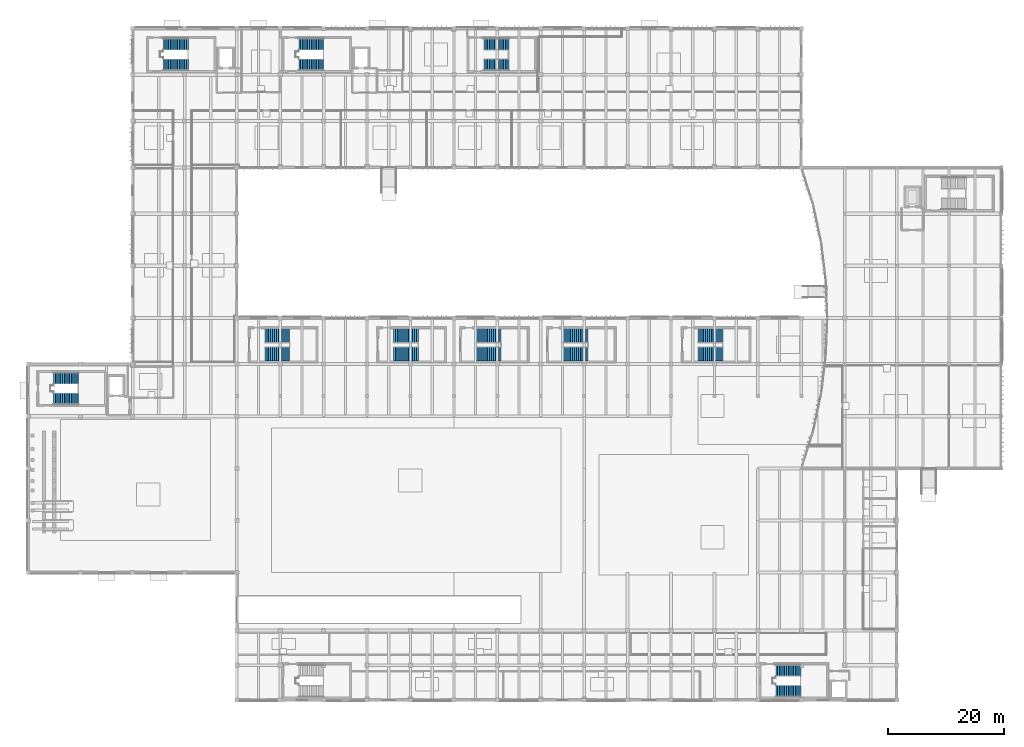
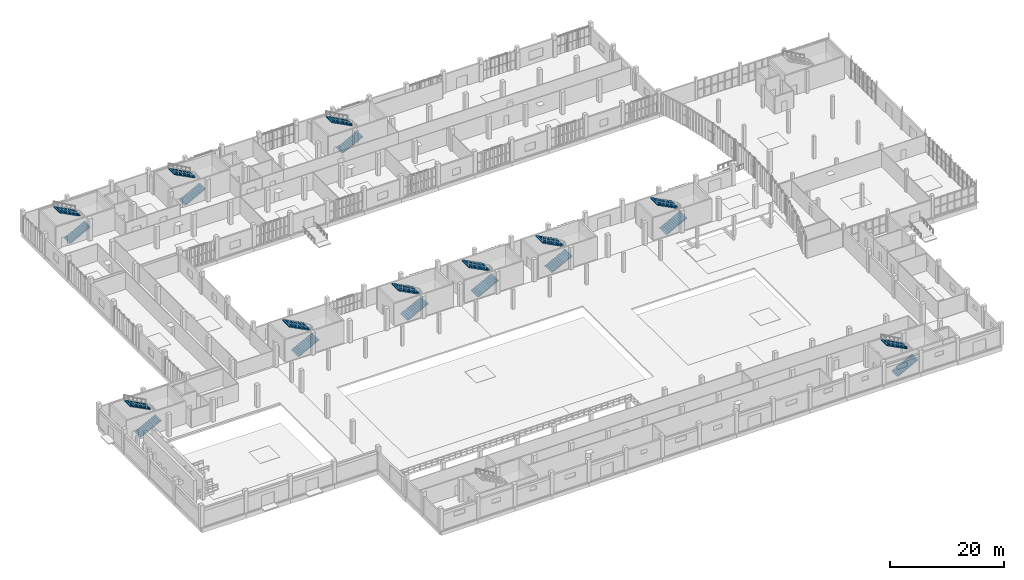
# One storey, part 53 of 72: 20 stair flights, 10 elements without a shape of their own.
"""IFC4 building model written with IfcOpenShell, lengths in metres."""

from ifc_helpers import new_model, si_unit, direction, frame, origin, place, context, subcontext, project, spatial, polyline, outline, extrude, material, type_object, element, aggregate, save


model = new_model("IFC4")

# Units and contexts
model_context = context("Model", 3, precision=1e-05, world=origin(), true_north=direction((0.0, 1.0)))
body_context = subcontext(model_context, "Body", "Model", "MODEL_VIEW")
ifc_project = project(units=[si_unit("LENGTHUNIT", "METRE"), si_unit("AREAUNIT", "SQUARE_METRE"), si_unit("VOLUMEUNIT", "CUBIC_METRE"), si_unit("PLANEANGLEUNIT", "RADIAN"), si_unit("MASSUNIT", "GRAM", prefix="KILO")], contexts=[model_context])

# Site, building, storey
site_placement = place(None, origin())
site = spatial("IfcSite", under=ifc_project, at=site_placement, CompositionType="ELEMENT")
building_placement = place(site_placement, origin())
building = spatial("IfcBuilding", under=site, at=building_placement, Name="Vourika Railside Aquatics Centre", CompositionType="ELEMENT")
storey_placement = place(building_placement, origin())
storey = spatial("IfcBuildingStorey", under=building, at=storey_placement, Name="L00", CompositionType="ELEMENT", Elevation=0.0)

# Stair, stair flights
ifc_material = material(Name="Concrete C35/45", Category="concrete")
stair_type_1 = type_object("IfcStairType", Name="STR-CORE-L00", PredefinedType="TWO_STRAIGHT_RUN_STAIR", material=ifc_material)
stair_1_placement = place(storey_placement, origin())
stair_1 = element("IfcStair", 1, at=stair_1_placement, inside=storey, type_object=stair_type_1, Name="Protected Exit Stair Core ST01 (L00)", PredefinedType="TWO_STRAIGHT_RUN_STAIR")
stair_flight_type_1 = type_object("IfcStairFlightType", Name="STF-CORE-L00", PredefinedType="STRAIGHT", material=ifc_material)
stair_flight_1_placement = place(storey_placement, frame((23.300048828125, 109.719970703125, 0.0), z_axis=(0.0, 0.0, 1.0), x_axis=(1.0, 0.0, 0.0)))
stair_flight_1 = element("IfcStairFlight", 2, at=stair_flight_1_placement, type_object=stair_flight_type_1, Name="STC-L00 flight 1", NumberOfRisers=15, NumberOfTreads=14, PredefinedType="STRAIGHT", RiserHeight=0.16, TreadLength=0.308, context=body_context, shape_type="SweptSolid", body=[
    extrude(outline(polyline([(0.0, 0.0), (0.0, 0.159912109375), (0.30810546875, 0.159912109375), (0.30810546875, 0.320068359375), (0.615966796875, 0.320068359375), (0.615966796875, 0.47998046875), (0.924072265625, 0.47998046875), (0.924072265625, 0.639892578125), (1.23193359375, 0.639892578125), (1.23193359375, 0.800048828125), (1.5400390625, 0.800048828125), (1.5400390625, 0.9599609375), (1.847900390625, 0.9599609375), (1.847900390625, 1.1201171875), (2.156005859375, 1.1201171875), (2.156005859375, 1.280029296875), (2.464111328125, 1.280029296875), (2.464111328125, 1.43994140625), (2.77197265625, 1.43994140625), (2.77197265625, 1.60009765625), (3.080078125, 1.60009765625), (3.080078125, 1.760009765625), (3.387939453125, 1.760009765625), (3.387939453125, 1.919921875), (3.696044921875, 1.919921875), (3.696044921875, 2.080078125), (4.00390625, 2.080078125), (4.00390625, 2.239990234375), (4.31201171875, 2.239990234375), (4.31201171875, 2.39990234375), (4.31201171875, 2.059814453125), (0.346923828125, 0.0), (0.0, 0.0)])), frame((0.0, 1.0, 0.0), z_axis=(0.0, -1.0, 0.0), x_axis=(1.0, 0.0, 0.0)), (0.0, 0.0, 1.0), 2.0),
])
stair_flight_2_placement = place(storey_placement, frame((27.612060546875, 113.280029296875, 2.39990234375), z_axis=(0.0, 0.0, 1.0), x_axis=(-1.0, 0.0, 0.0)))
stair_flight_2 = element("IfcStairFlight", 3, at=stair_flight_2_placement, type_object=stair_flight_type_1, Name="STC-L00 flight 2", NumberOfRisers=15, NumberOfTreads=14, PredefinedType="STRAIGHT", RiserHeight=0.16, TreadLength=0.308, context=body_context, shape_type="SweptSolid", body=[
    extrude(outline(polyline([(0.0, 0.0), (0.0, 0.159912109375), (0.30810546875, 0.159912109375), (0.30810546875, 0.320068359375), (0.615966796875, 0.320068359375), (0.615966796875, 0.47998046875), (0.924072265625, 0.47998046875), (0.924072265625, 0.639892578125), (1.23193359375, 0.639892578125), (1.23193359375, 0.800048828125), (1.5400390625, 0.800048828125), (1.5400390625, 0.9599609375), (1.847900390625, 0.9599609375), (1.847900390625, 1.1201171875), (2.156005859375, 1.1201171875), (2.156005859375, 1.280029296875), (2.464111328125, 1.280029296875), (2.464111328125, 1.43994140625), (2.77197265625, 1.43994140625), (2.77197265625, 1.60009765625), (3.080078125, 1.60009765625), (3.080078125, 1.760009765625), (3.387939453125, 1.760009765625), (3.387939453125, 1.919921875), (3.696044921875, 1.919921875), (3.696044921875, 2.080078125), (4.00390625, 2.080078125), (4.00390625, 2.239990234375), (4.31201171875, 2.239990234375), (4.31201171875, 2.39990234375), (4.31201171875, 2.059814453125), (0.346923828125, 0.0), (0.0, 0.0)])), frame((0.0, 1.0, 0.0), z_axis=(0.0, -1.0, 0.0), x_axis=(1.0, 0.0, 0.0)), (0.0, 0.0, 1.0), 2.0),
])
aggregate(stair_1, [stair_flight_1, stair_flight_2])

stair_2_placement = place(storey_placement, origin())
stair_2 = element("IfcStair", 4, at=stair_2_placement, inside=storey, type_object=stair_type_1, Name="Protected Exit Stair Core ST02 (L00)", PredefinedType="TWO_STRAIGHT_RUN_STAIR")
stair_flight_3_placement = place(storey_placement, frame((46.699951171875, 109.719970703125, 0.0), z_axis=(0.0, 0.0, 1.0), x_axis=(1.0, 0.0, 0.0)))
stair_flight_3 = element("IfcStairFlight", 5, at=stair_flight_3_placement, type_object=stair_flight_type_1, Name="STC-L00 flight 1", NumberOfRisers=15, NumberOfTreads=14, PredefinedType="STRAIGHT", RiserHeight=0.16, TreadLength=0.308, context=body_context, shape_type="SweptSolid", body=[
    extrude(outline(polyline([(0.0, 0.0), (0.0, 0.159912109375), (0.30810546875, 0.159912109375), (0.30810546875, 0.320068359375), (0.615966796875, 0.320068359375), (0.615966796875, 0.47998046875), (0.924072265625, 0.47998046875), (0.924072265625, 0.639892578125), (1.23193359375, 0.639892578125), (1.23193359375, 0.800048828125), (1.5400390625, 0.800048828125), (1.5400390625, 0.9599609375), (1.847900390625, 0.9599609375), (1.847900390625, 1.1201171875), (2.156005859375, 1.1201171875), (2.156005859375, 1.280029296875), (2.464111328125, 1.280029296875), (2.464111328125, 1.43994140625), (2.77197265625, 1.43994140625), (2.77197265625, 1.60009765625), (3.080078125, 1.60009765625), (3.080078125, 1.760009765625), (3.387939453125, 1.760009765625), (3.387939453125, 1.919921875), (3.696044921875, 1.919921875), (3.696044921875, 2.080078125), (4.00390625, 2.080078125), (4.00390625, 2.239990234375), (4.31201171875, 2.239990234375), (4.31201171875, 2.39990234375), (4.31201171875, 2.059814453125), (0.346923828125, 0.0), (0.0, 0.0)])), frame((0.0, 1.0, 0.0), z_axis=(0.0, -1.0, 0.0), x_axis=(1.0, 0.0, 0.0)), (0.0, 0.0, 1.0), 2.0),
])
stair_flight_4_placement = place(storey_placement, frame((51.011962890625, 113.280029296875, 2.39990234375), z_axis=(0.0, 0.0, 1.0), x_axis=(-1.0, 0.0, 0.0)))
stair_flight_4 = element("IfcStairFlight", 6, at=stair_flight_4_placement, type_object=stair_flight_type_1, Name="STC-L00 flight 2", NumberOfRisers=15, NumberOfTreads=14, PredefinedType="STRAIGHT", RiserHeight=0.16, TreadLength=0.308, context=body_context, shape_type="SweptSolid", body=[
    extrude(outline(polyline([(0.0, 0.0), (0.0, 0.159912109375), (0.30810546875, 0.159912109375), (0.30810546875, 0.320068359375), (0.615966796875, 0.320068359375), (0.615966796875, 0.47998046875), (0.924072265625, 0.47998046875), (0.924072265625, 0.639892578125), (1.23193359375, 0.639892578125), (1.23193359375, 0.800048828125), (1.5400390625, 0.800048828125), (1.5400390625, 0.9599609375), (1.847900390625, 0.9599609375), (1.847900390625, 1.1201171875), (2.156005859375, 1.1201171875), (2.156005859375, 1.280029296875), (2.464111328125, 1.280029296875), (2.464111328125, 1.43994140625), (2.77197265625, 1.43994140625), (2.77197265625, 1.60009765625), (3.080078125, 1.60009765625), (3.080078125, 1.760009765625), (3.387939453125, 1.760009765625), (3.387939453125, 1.919921875), (3.696044921875, 1.919921875), (3.696044921875, 2.080078125), (4.00390625, 2.080078125), (4.00390625, 2.239990234375), (4.31201171875, 2.239990234375), (4.31201171875, 2.39990234375), (4.31201171875, 2.059814453125), (0.346923828125, 0.0), (0.0, 0.0)])), frame((0.0, 1.0, 0.0), z_axis=(0.0, -1.0, 0.0), x_axis=(1.0, 0.0, 0.0)), (0.0, 0.0, 1.0), 2.0),
])
aggregate(stair_2, [stair_flight_3, stair_flight_4])

stair_3_placement = place(storey_placement, origin())
stair_3 = element("IfcStair", 7, at=stair_3_placement, inside=storey, type_object=stair_type_1, Name="Protected Exit Stair Core ST03 (L00)", PredefinedType="TWO_STRAIGHT_RUN_STAIR")
stair_flight_5_placement = place(storey_placement, frame((78.699951171875, 109.719970703125, 0.0), z_axis=(0.0, 0.0, 1.0), x_axis=(1.0, 0.0, 0.0)))
stair_flight_5 = element("IfcStairFlight", 8, at=stair_flight_5_placement, type_object=stair_flight_type_1, Name="STC-L00 flight 1", NumberOfRisers=15, NumberOfTreads=14, PredefinedType="STRAIGHT", RiserHeight=0.16, TreadLength=0.308, context=body_context, shape_type="SweptSolid", body=[
    extrude(outline(polyline([(0.0, 0.0), (0.0, 0.159912109375), (0.30810546875, 0.159912109375), (0.30810546875, 0.320068359375), (0.615966796875, 0.320068359375), (0.615966796875, 0.47998046875), (0.924072265625, 0.47998046875), (0.924072265625, 0.639892578125), (1.23193359375, 0.639892578125), (1.23193359375, 0.800048828125), (1.5400390625, 0.800048828125), (1.5400390625, 0.9599609375), (1.847900390625, 0.9599609375), (1.847900390625, 1.1201171875), (2.156005859375, 1.1201171875), (2.156005859375, 1.280029296875), (2.464111328125, 1.280029296875), (2.464111328125, 1.43994140625), (2.77197265625, 1.43994140625), (2.77197265625, 1.60009765625), (3.080078125, 1.60009765625), (3.080078125, 1.760009765625), (3.387939453125, 1.760009765625), (3.387939453125, 1.919921875), (3.696044921875, 1.919921875), (3.696044921875, 2.080078125), (4.00390625, 2.080078125), (4.00390625, 2.239990234375), (4.31201171875, 2.239990234375), (4.31201171875, 2.39990234375), (4.31201171875, 2.059814453125), (0.346923828125, 0.0), (0.0, 0.0)])), frame((0.0, 1.0, 0.0), z_axis=(0.0, -1.0, 0.0), x_axis=(1.0, 0.0, 0.0)), (0.0, 0.0, 1.0), 2.0),
])
stair_flight_6_placement = place(storey_placement, frame((83.011962890625, 113.280029296875, 2.39990234375), z_axis=(0.0, 0.0, 1.0), x_axis=(-1.0, 0.0, 0.0)))
stair_flight_6 = element("IfcStairFlight", 9, at=stair_flight_6_placement, type_object=stair_flight_type_1, Name="STC-L00 flight 2", NumberOfRisers=15, NumberOfTreads=14, PredefinedType="STRAIGHT", RiserHeight=0.16, TreadLength=0.308, context=body_context, shape_type="SweptSolid", body=[
    extrude(outline(polyline([(0.0, 0.0), (0.0, 0.159912109375), (0.30810546875, 0.159912109375), (0.30810546875, 0.320068359375), (0.615966796875, 0.320068359375), (0.615966796875, 0.47998046875), (0.924072265625, 0.47998046875), (0.924072265625, 0.639892578125), (1.23193359375, 0.639892578125), (1.23193359375, 0.800048828125), (1.5400390625, 0.800048828125), (1.5400390625, 0.9599609375), (1.847900390625, 0.9599609375), (1.847900390625, 1.1201171875), (2.156005859375, 1.1201171875), (2.156005859375, 1.280029296875), (2.464111328125, 1.280029296875), (2.464111328125, 1.43994140625), (2.77197265625, 1.43994140625), (2.77197265625, 1.60009765625), (3.080078125, 1.60009765625), (3.080078125, 1.760009765625), (3.387939453125, 1.760009765625), (3.387939453125, 1.919921875), (3.696044921875, 1.919921875), (3.696044921875, 2.080078125), (4.00390625, 2.080078125), (4.00390625, 2.239990234375), (4.31201171875, 2.239990234375), (4.31201171875, 2.39990234375), (4.31201171875, 2.059814453125), (0.346923828125, 0.0), (0.0, 0.0)])), frame((0.0, 1.0, 0.0), z_axis=(0.0, -1.0, 0.0), x_axis=(1.0, 0.0, 0.0)), (0.0, 0.0, 1.0), 2.0),
])
aggregate(stair_3, [stair_flight_5, stair_flight_6])

stair_4_placement = place(storey_placement, origin())
stair_4 = element("IfcStair", 10, at=stair_4_placement, inside=storey, type_object=stair_type_1, Name="Protected Exit Stair Core ST04 (L00)", PredefinedType="TWO_STRAIGHT_RUN_STAIR")
stair_flight_7_placement = place(storey_placement, frame((4.35009765625, 52.02001953125, 0.0), z_axis=(0.0, 0.0, 1.0), x_axis=(1.0, 0.0, 0.0)))
stair_flight_7 = element("IfcStairFlight", 11, at=stair_flight_7_placement, type_object=stair_flight_type_1, Name="STC-L00 flight 1", NumberOfRisers=15, NumberOfTreads=14, PredefinedType="STRAIGHT", RiserHeight=0.16, TreadLength=0.308, context=body_context, shape_type="SweptSolid", body=[
    extrude(outline(polyline([(0.0, 0.0), (0.0, 0.159912109375), (0.30810546875, 0.159912109375), (0.30810546875, 0.320068359375), (0.615966796875, 0.320068359375), (0.615966796875, 0.47998046875), (0.924072265625, 0.47998046875), (0.924072265625, 0.639892578125), (1.23193359375, 0.639892578125), (1.23193359375, 0.800048828125), (1.5400390625, 0.800048828125), (1.5400390625, 0.9599609375), (1.847900390625, 0.9599609375), (1.847900390625, 1.1201171875), (2.156005859375, 1.1201171875), (2.156005859375, 1.280029296875), (2.464111328125, 1.280029296875), (2.464111328125, 1.43994140625), (2.77197265625, 1.43994140625), (2.77197265625, 1.60009765625), (3.080078125, 1.60009765625), (3.080078125, 1.760009765625), (3.387939453125, 1.760009765625), (3.387939453125, 1.919921875), (3.696044921875, 1.919921875), (3.696044921875, 2.080078125), (4.00390625, 2.080078125), (4.00390625, 2.239990234375), (4.31201171875, 2.239990234375), (4.31201171875, 2.39990234375), (4.31201171875, 2.059814453125), (0.346923828125, 0.0), (0.0, 0.0)])), frame((0.0, 1.0, 0.0), z_axis=(0.0, -1.0, 0.0), x_axis=(1.0, 0.0, 0.0)), (0.0, 0.0, 1.0), 2.0),
])
stair_flight_8_placement = place(storey_placement, frame((8.662109375, 55.580078125, 2.39990234375), z_axis=(0.0, 0.0, 1.0), x_axis=(-1.0, 0.0, 0.0)))
stair_flight_8 = element("IfcStairFlight", 12, at=stair_flight_8_placement, type_object=stair_flight_type_1, Name="STC-L00 flight 2", NumberOfRisers=15, NumberOfTreads=14, PredefinedType="STRAIGHT", RiserHeight=0.16, TreadLength=0.308, context=body_context, shape_type="SweptSolid", body=[
    extrude(outline(polyline([(0.0, 0.0), (0.0, 0.159912109375), (0.30810546875, 0.159912109375), (0.30810546875, 0.320068359375), (0.615966796875, 0.320068359375), (0.615966796875, 0.47998046875), (0.924072265625, 0.47998046875), (0.924072265625, 0.639892578125), (1.23193359375, 0.639892578125), (1.23193359375, 0.800048828125), (1.5400390625, 0.800048828125), (1.5400390625, 0.9599609375), (1.847900390625, 0.9599609375), (1.847900390625, 1.1201171875), (2.156005859375, 1.1201171875), (2.156005859375, 1.280029296875), (2.464111328125, 1.280029296875), (2.464111328125, 1.43994140625), (2.77197265625, 1.43994140625), (2.77197265625, 1.60009765625), (3.080078125, 1.60009765625), (3.080078125, 1.760009765625), (3.387939453125, 1.760009765625), (3.387939453125, 1.919921875), (3.696044921875, 1.919921875), (3.696044921875, 2.080078125), (4.00390625, 2.080078125), (4.00390625, 2.239990234375), (4.31201171875, 2.239990234375), (4.31201171875, 2.39990234375), (4.31201171875, 2.059814453125), (0.346923828125, 0.0), (0.0, 0.0)])), frame((0.0, 1.0, 0.0), z_axis=(0.0, -1.0, 0.0), x_axis=(1.0, 0.0, 0.0)), (0.0, 0.0, 1.0), 2.0),
])
aggregate(stair_4, [stair_flight_7, stair_flight_8])

stair_5_placement = place(storey_placement, origin())
stair_5 = element("IfcStair", 13, at=stair_5_placement, inside=storey, type_object=stair_type_1, Name="Protected Exit Stair Core ST06 (L00)", PredefinedType="TWO_STRAIGHT_RUN_STAIR")
stair_flight_9_placement = place(storey_placement, frame((129.10009765625, 1.52001953125, 0.0), z_axis=(0.0, 0.0, 1.0), x_axis=(1.0, 0.0, 0.0)))
stair_flight_9 = element("IfcStairFlight", 14, at=stair_flight_9_placement, type_object=stair_flight_type_1, Name="STC-L00 flight 1", NumberOfRisers=15, NumberOfTreads=14, PredefinedType="STRAIGHT", RiserHeight=0.16, TreadLength=0.308, context=body_context, shape_type="SweptSolid", body=[
    extrude(outline(polyline([(0.0, 0.0), (0.0, 0.159912109375), (0.30810546875, 0.159912109375), (0.30810546875, 0.320068359375), (0.615966796875, 0.320068359375), (0.615966796875, 0.47998046875), (0.924072265625, 0.47998046875), (0.924072265625, 0.639892578125), (1.23193359375, 0.639892578125), (1.23193359375, 0.800048828125), (1.5400390625, 0.800048828125), (1.5400390625, 0.9599609375), (1.847900390625, 0.9599609375), (1.847900390625, 1.1201171875), (2.156005859375, 1.1201171875), (2.156005859375, 1.280029296875), (2.464111328125, 1.280029296875), (2.464111328125, 1.43994140625), (2.77197265625, 1.43994140625), (2.77197265625, 1.60009765625), (3.080078125, 1.60009765625), (3.080078125, 1.760009765625), (3.387939453125, 1.760009765625), (3.387939453125, 1.919921875), (3.696044921875, 1.919921875), (3.696044921875, 2.080078125), (4.00390625, 2.080078125), (4.00390625, 2.239990234375), (4.31201171875, 2.239990234375), (4.31201171875, 2.39990234375), (4.31201171875, 2.059814453125), (0.346923828125, 0.0), (0.0, 0.0)])), frame((0.0, 1.0, 0.0), z_axis=(0.0, -1.0, 0.0), x_axis=(1.0, 0.0, 0.0)), (0.0, 0.0, 1.0), 2.0),
])
stair_flight_10_placement = place(storey_placement, frame((133.412109375, 5.080078125, 2.39990234375), z_axis=(0.0, 0.0, 1.0), x_axis=(-1.0, 0.0, 0.0)))
stair_flight_10 = element("IfcStairFlight", 15, at=stair_flight_10_placement, type_object=stair_flight_type_1, Name="STC-L00 flight 2", NumberOfRisers=15, NumberOfTreads=14, PredefinedType="STRAIGHT", RiserHeight=0.16, TreadLength=0.308, context=body_context, shape_type="SweptSolid", body=[
    extrude(outline(polyline([(0.0, 0.0), (0.0, 0.159912109375), (0.30810546875, 0.159912109375), (0.30810546875, 0.320068359375), (0.615966796875, 0.320068359375), (0.615966796875, 0.47998046875), (0.924072265625, 0.47998046875), (0.924072265625, 0.639892578125), (1.23193359375, 0.639892578125), (1.23193359375, 0.800048828125), (1.5400390625, 0.800048828125), (1.5400390625, 0.9599609375), (1.847900390625, 0.9599609375), (1.847900390625, 1.1201171875), (2.156005859375, 1.1201171875), (2.156005859375, 1.280029296875), (2.464111328125, 1.280029296875), (2.464111328125, 1.43994140625), (2.77197265625, 1.43994140625), (2.77197265625, 1.60009765625), (3.080078125, 1.60009765625), (3.080078125, 1.760009765625), (3.387939453125, 1.760009765625), (3.387939453125, 1.919921875), (3.696044921875, 1.919921875), (3.696044921875, 2.080078125), (4.00390625, 2.080078125), (4.00390625, 2.239990234375), (4.31201171875, 2.239990234375), (4.31201171875, 2.39990234375), (4.31201171875, 2.059814453125), (0.346923828125, 0.0), (0.0, 0.0)])), frame((0.0, 1.0, 0.0), z_axis=(0.0, -1.0, 0.0), x_axis=(1.0, 0.0, 0.0)), (0.0, 0.0, 1.0), 2.0),
])
aggregate(stair_5, [stair_flight_9, stair_flight_10])

stair_type_2 = type_object("IfcStairType", Name="STR-VOM-L00", PredefinedType="TWO_STRAIGHT_RUN_STAIR", material=ifc_material)
stair_6_placement = place(storey_placement, origin())
stair_6 = element("IfcStair", 16, at=stair_6_placement, inside=storey, type_object=stair_type_2, Name="Grandstand Vomitory Exit Stair ST07", PredefinedType="TWO_STRAIGHT_RUN_STAIR")
stair_flight_type_2 = type_object("IfcStairFlightType", Name="STF-VOM-L00", PredefinedType="STRAIGHT", material=ifc_material)
stair_flight_11_placement = place(storey_placement, frame((40.85009765625, 59.780029296875, 0.0), z_axis=(0.0, 0.0, 1.0), x_axis=(1.0, 0.0, 0.0)))
stair_flight_11 = element("IfcStairFlight", 17, at=stair_flight_11_placement, type_object=stair_flight_type_2, Name="STV-1 flight 1", NumberOfRisers=14, NumberOfTreads=13, PredefinedType="STRAIGHT", RiserHeight=0.171429, TreadLength=0.33, context=body_context, shape_type="SweptSolid", body=[
    extrude(outline(polyline([(0.0, 0.0), (0.0, 0.17138671875), (0.330078125, 0.17138671875), (0.330078125, 0.3427734375), (0.659912109375, 0.3427734375), (0.659912109375, 0.514404296875), (0.989990234375, 0.514404296875), (0.989990234375, 0.685791015625), (1.320068359375, 0.685791015625), (1.320068359375, 0.857177734375), (1.64990234375, 0.857177734375), (1.64990234375, 1.028564453125), (1.97998046875, 1.028564453125), (1.97998046875, 1.199951171875), (2.31005859375, 1.199951171875), (2.31005859375, 1.371337890625), (2.639892578125, 1.371337890625), (2.639892578125, 1.54296875), (2.969970703125, 1.54296875), (2.969970703125, 1.71435546875), (3.300048828125, 1.71435546875), (3.300048828125, 1.8857421875), (3.6298828125, 1.8857421875), (3.6298828125, 2.05712890625), (3.9599609375, 2.05712890625), (3.9599609375, 2.228515625), (4.2900390625, 2.228515625), (4.2900390625, 2.39990234375), (4.2900390625, 2.02587890625), (0.390380859375, 0.0), (0.0, 0.0)])), frame((0.0, 1.2099609375, 0.0), z_axis=(0.0, -1.0, 0.0), x_axis=(1.0, 0.0, 0.0)), (0.0, 0.0, 1.0), 2.419921875),
])
stair_flight_12_placement = place(storey_placement, frame((45.139892578125, 62.919921875, 2.39990234375), z_axis=(0.0, 0.0, 1.0), x_axis=(-1.0, 0.0, 0.0)))
stair_flight_12 = element("IfcStairFlight", 18, at=stair_flight_12_placement, type_object=stair_flight_type_2, Name="STV-1 flight 2", NumberOfRisers=14, NumberOfTreads=13, PredefinedType="STRAIGHT", RiserHeight=0.171429, TreadLength=0.33, context=body_context, shape_type="SweptSolid", body=[
    extrude(outline(polyline([(0.0, 0.0), (0.0, 0.17138671875), (0.330078125, 0.17138671875), (0.330078125, 0.3427734375), (0.659912109375, 0.3427734375), (0.659912109375, 0.514404296875), (0.989990234375, 0.514404296875), (0.989990234375, 0.685791015625), (1.320068359375, 0.685791015625), (1.320068359375, 0.857177734375), (1.64990234375, 0.857177734375), (1.64990234375, 1.028564453125), (1.97998046875, 1.028564453125), (1.97998046875, 1.199951171875), (2.31005859375, 1.199951171875), (2.31005859375, 1.371337890625), (2.639892578125, 1.371337890625), (2.639892578125, 1.54296875), (2.969970703125, 1.54296875), (2.969970703125, 1.71435546875), (3.300048828125, 1.71435546875), (3.300048828125, 1.8857421875), (3.6298828125, 1.8857421875), (3.6298828125, 2.05712890625), (3.9599609375, 2.05712890625), (3.9599609375, 2.228515625), (4.2900390625, 2.228515625), (4.2900390625, 2.39990234375), (4.2900390625, 2.02587890625), (0.390380859375, 0.0), (0.0, 0.0)])), frame((0.0, 1.2099609375, 0.0), z_axis=(0.0, -1.0, 0.0), x_axis=(1.0, 0.0, 0.0)), (0.0, 0.0, 1.0), 2.419921875),
])
aggregate(stair_6, [stair_flight_11, stair_flight_12])

stair_7_placement = place(storey_placement, origin())
stair_7 = element("IfcStair", 19, at=stair_7_placement, inside=storey, type_object=stair_type_2, Name="Grandstand Vomitory Exit Stair ST08", PredefinedType="TWO_STRAIGHT_RUN_STAIR")
stair_flight_13_placement = place(storey_placement, frame((63.050048828125, 59.780029296875, 0.0), z_axis=(0.0, 0.0, 1.0), x_axis=(1.0, 0.0, 0.0)))
stair_flight_13 = element("IfcStairFlight", 20, at=stair_flight_13_placement, type_object=stair_flight_type_2, Name="STV-1 flight 1", NumberOfRisers=14, NumberOfTreads=13, PredefinedType="STRAIGHT", RiserHeight=0.171429, TreadLength=0.33, context=body_context, shape_type="SweptSolid", body=[
    extrude(outline(polyline([(0.0, 0.0), (0.0, 0.17138671875), (0.330078125, 0.17138671875), (0.330078125, 0.3427734375), (0.659912109375, 0.3427734375), (0.659912109375, 0.514404296875), (0.989990234375, 0.514404296875), (0.989990234375, 0.685791015625), (1.320068359375, 0.685791015625), (1.320068359375, 0.857177734375), (1.64990234375, 0.857177734375), (1.64990234375, 1.028564453125), (1.97998046875, 1.028564453125), (1.97998046875, 1.199951171875), (2.31005859375, 1.199951171875), (2.31005859375, 1.371337890625), (2.639892578125, 1.371337890625), (2.639892578125, 1.54296875), (2.969970703125, 1.54296875), (2.969970703125, 1.71435546875), (3.300048828125, 1.71435546875), (3.300048828125, 1.8857421875), (3.6298828125, 1.8857421875), (3.6298828125, 2.05712890625), (3.9599609375, 2.05712890625), (3.9599609375, 2.228515625), (4.2900390625, 2.228515625), (4.2900390625, 2.39990234375), (4.2900390625, 2.02587890625), (0.390380859375, 0.0), (0.0, 0.0)])), frame((0.0, 1.2099609375, 0.0), z_axis=(0.0, -1.0, 0.0), x_axis=(1.0, 0.0, 0.0)), (0.0, 0.0, 1.0), 2.419921875),
])
stair_flight_14_placement = place(storey_placement, frame((67.340087890625, 62.919921875, 2.39990234375), z_axis=(0.0, 0.0, 1.0), x_axis=(-1.0, 0.0, 0.0)))
stair_flight_14 = element("IfcStairFlight", 21, at=stair_flight_14_placement, type_object=stair_flight_type_2, Name="STV-1 flight 2", NumberOfRisers=14, NumberOfTreads=13, PredefinedType="STRAIGHT", RiserHeight=0.171429, TreadLength=0.33, context=body_context, shape_type="SweptSolid", body=[
    extrude(outline(polyline([(0.0, 0.0), (0.0, 0.17138671875), (0.330078125, 0.17138671875), (0.330078125, 0.3427734375), (0.659912109375, 0.3427734375), (0.659912109375, 0.514404296875), (0.989990234375, 0.514404296875), (0.989990234375, 0.685791015625), (1.320068359375, 0.685791015625), (1.320068359375, 0.857177734375), (1.64990234375, 0.857177734375), (1.64990234375, 1.028564453125), (1.97998046875, 1.028564453125), (1.97998046875, 1.199951171875), (2.31005859375, 1.199951171875), (2.31005859375, 1.371337890625), (2.639892578125, 1.371337890625), (2.639892578125, 1.54296875), (2.969970703125, 1.54296875), (2.969970703125, 1.71435546875), (3.300048828125, 1.71435546875), (3.300048828125, 1.8857421875), (3.6298828125, 1.8857421875), (3.6298828125, 2.05712890625), (3.9599609375, 2.05712890625), (3.9599609375, 2.228515625), (4.2900390625, 2.228515625), (4.2900390625, 2.39990234375), (4.2900390625, 2.02587890625), (0.390380859375, 0.0), (0.0, 0.0)])), frame((0.0, 1.2099609375, 0.0), z_axis=(0.0, -1.0, 0.0), x_axis=(1.0, 0.0, 0.0)), (0.0, 0.0, 1.0), 2.419921875),
])
aggregate(stair_7, [stair_flight_13, stair_flight_14])

stair_8_placement = place(storey_placement, origin())
stair_8 = element("IfcStair", 22, at=stair_8_placement, inside=storey, type_object=stair_type_2, Name="Grandstand Vomitory Exit Stair ST09", PredefinedType="TWO_STRAIGHT_RUN_STAIR")
stair_flight_15_placement = place(storey_placement, frame((92.35009765625, 59.780029296875, 0.0), z_axis=(0.0, 0.0, 1.0), x_axis=(1.0, 0.0, 0.0)))
stair_flight_15 = element("IfcStairFlight", 23, at=stair_flight_15_placement, type_object=stair_flight_type_2, Name="STV-1 flight 1", NumberOfRisers=14, NumberOfTreads=13, PredefinedType="STRAIGHT", RiserHeight=0.171429, TreadLength=0.33, context=body_context, shape_type="SweptSolid", body=[
    extrude(outline(polyline([(0.0, 0.0), (0.0, 0.17138671875), (0.330078125, 0.17138671875), (0.330078125, 0.3427734375), (0.659912109375, 0.3427734375), (0.659912109375, 0.514404296875), (0.989990234375, 0.514404296875), (0.989990234375, 0.685791015625), (1.320068359375, 0.685791015625), (1.320068359375, 0.857177734375), (1.64990234375, 0.857177734375), (1.64990234375, 1.028564453125), (1.97998046875, 1.028564453125), (1.97998046875, 1.199951171875), (2.31005859375, 1.199951171875), (2.31005859375, 1.371337890625), (2.639892578125, 1.371337890625), (2.639892578125, 1.54296875), (2.969970703125, 1.54296875), (2.969970703125, 1.71435546875), (3.300048828125, 1.71435546875), (3.300048828125, 1.8857421875), (3.6298828125, 1.8857421875), (3.6298828125, 2.05712890625), (3.9599609375, 2.05712890625), (3.9599609375, 2.228515625), (4.2900390625, 2.228515625), (4.2900390625, 2.39990234375), (4.2900390625, 2.02587890625), (0.390380859375, 0.0), (0.0, 0.0)])), frame((0.0, 1.2099609375, 0.0), z_axis=(0.0, -1.0, 0.0), x_axis=(1.0, 0.0, 0.0)), (0.0, 0.0, 1.0), 2.419921875),
])
stair_flight_16_placement = place(storey_placement, frame((96.639892578125, 62.919921875, 2.39990234375), z_axis=(0.0, 0.0, 1.0), x_axis=(-1.0, 0.0, 0.0)))
stair_flight_16 = element("IfcStairFlight", 24, at=stair_flight_16_placement, type_object=stair_flight_type_2, Name="STV-1 flight 2", NumberOfRisers=14, NumberOfTreads=13, PredefinedType="STRAIGHT", RiserHeight=0.171429, TreadLength=0.33, context=body_context, shape_type="SweptSolid", body=[
    extrude(outline(polyline([(0.0, 0.0), (0.0, 0.17138671875), (0.330078125, 0.17138671875), (0.330078125, 0.3427734375), (0.659912109375, 0.3427734375), (0.659912109375, 0.514404296875), (0.989990234375, 0.514404296875), (0.989990234375, 0.685791015625), (1.320068359375, 0.685791015625), (1.320068359375, 0.857177734375), (1.64990234375, 0.857177734375), (1.64990234375, 1.028564453125), (1.97998046875, 1.028564453125), (1.97998046875, 1.199951171875), (2.31005859375, 1.199951171875), (2.31005859375, 1.371337890625), (2.639892578125, 1.371337890625), (2.639892578125, 1.54296875), (2.969970703125, 1.54296875), (2.969970703125, 1.71435546875), (3.300048828125, 1.71435546875), (3.300048828125, 1.8857421875), (3.6298828125, 1.8857421875), (3.6298828125, 2.05712890625), (3.9599609375, 2.05712890625), (3.9599609375, 2.228515625), (4.2900390625, 2.228515625), (4.2900390625, 2.39990234375), (4.2900390625, 2.02587890625), (0.390380859375, 0.0), (0.0, 0.0)])), frame((0.0, 1.2099609375, 0.0), z_axis=(0.0, -1.0, 0.0), x_axis=(1.0, 0.0, 0.0)), (0.0, 0.0, 1.0), 2.419921875),
])
aggregate(stair_8, [stair_flight_15, stair_flight_16])

stair_9_placement = place(storey_placement, origin())
stair_9 = element("IfcStair", 25, at=stair_9_placement, inside=storey, type_object=stair_type_2, Name="Grandstand Vomitory Exit Stair ST10", PredefinedType="TWO_STRAIGHT_RUN_STAIR")
stair_flight_17_placement = place(storey_placement, frame((115.64990234375, 59.780029296875, 0.0), z_axis=(0.0, 0.0, 1.0), x_axis=(1.0, 0.0, 0.0)))
stair_flight_17 = element("IfcStairFlight", 26, at=stair_flight_17_placement, type_object=stair_flight_type_2, Name="STV-1 flight 1", NumberOfRisers=14, NumberOfTreads=13, PredefinedType="STRAIGHT", RiserHeight=0.171429, TreadLength=0.33, context=body_context, shape_type="SweptSolid", body=[
    extrude(outline(polyline([(0.0, 0.0), (0.0, 0.17138671875), (0.330078125, 0.17138671875), (0.330078125, 0.3427734375), (0.659912109375, 0.3427734375), (0.659912109375, 0.514404296875), (0.989990234375, 0.514404296875), (0.989990234375, 0.685791015625), (1.320068359375, 0.685791015625), (1.320068359375, 0.857177734375), (1.64990234375, 0.857177734375), (1.64990234375, 1.028564453125), (1.97998046875, 1.028564453125), (1.97998046875, 1.199951171875), (2.31005859375, 1.199951171875), (2.31005859375, 1.371337890625), (2.639892578125, 1.371337890625), (2.639892578125, 1.54296875), (2.969970703125, 1.54296875), (2.969970703125, 1.71435546875), (3.300048828125, 1.71435546875), (3.300048828125, 1.8857421875), (3.6298828125, 1.8857421875), (3.6298828125, 2.05712890625), (3.9599609375, 2.05712890625), (3.9599609375, 2.228515625), (4.2900390625, 2.228515625), (4.2900390625, 2.39990234375), (4.2900390625, 2.02587890625), (0.390380859375, 0.0), (0.0, 0.0)])), frame((0.0, 1.2099609375, 0.0), z_axis=(0.0, -1.0, 0.0), x_axis=(1.0, 0.0, 0.0)), (0.0, 0.0, 1.0), 2.419921875),
])
stair_flight_18_placement = place(storey_placement, frame((119.93994140625, 62.919921875, 2.39990234375), z_axis=(0.0, 0.0, 1.0), x_axis=(-1.0, 0.0, 0.0)))
stair_flight_18 = element("IfcStairFlight", 27, at=stair_flight_18_placement, type_object=stair_flight_type_2, Name="STV-1 flight 2", NumberOfRisers=14, NumberOfTreads=13, PredefinedType="STRAIGHT", RiserHeight=0.171429, TreadLength=0.33, context=body_context, shape_type="SweptSolid", body=[
    extrude(outline(polyline([(0.0, 0.0), (0.0, 0.17138671875), (0.330078125, 0.17138671875), (0.330078125, 0.3427734375), (0.659912109375, 0.3427734375), (0.659912109375, 0.514404296875), (0.989990234375, 0.514404296875), (0.989990234375, 0.685791015625), (1.320068359375, 0.685791015625), (1.320068359375, 0.857177734375), (1.64990234375, 0.857177734375), (1.64990234375, 1.028564453125), (1.97998046875, 1.028564453125), (1.97998046875, 1.199951171875), (2.31005859375, 1.199951171875), (2.31005859375, 1.371337890625), (2.639892578125, 1.371337890625), (2.639892578125, 1.54296875), (2.969970703125, 1.54296875), (2.969970703125, 1.71435546875), (3.300048828125, 1.71435546875), (3.300048828125, 1.8857421875), (3.6298828125, 1.8857421875), (3.6298828125, 2.05712890625), (3.9599609375, 2.05712890625), (3.9599609375, 2.228515625), (4.2900390625, 2.228515625), (4.2900390625, 2.39990234375), (4.2900390625, 2.02587890625), (0.390380859375, 0.0), (0.0, 0.0)])), frame((0.0, 1.2099609375, 0.0), z_axis=(0.0, -1.0, 0.0), x_axis=(1.0, 0.0, 0.0)), (0.0, 0.0, 1.0), 2.419921875),
])
aggregate(stair_9, [stair_flight_17, stair_flight_18])

stair_10_placement = place(storey_placement, origin())
stair_10 = element("IfcStair", 28, at=stair_10_placement, inside=storey, type_object=stair_type_2, Name="Grandstand Vomitory Exit Stair ST12", PredefinedType="TWO_STRAIGHT_RUN_STAIR")
stair_flight_19_placement = place(storey_placement, frame((77.35009765625, 59.780029296875, 0.0), z_axis=(0.0, 0.0, 1.0), x_axis=(1.0, 0.0, 0.0)))
stair_flight_19 = element("IfcStairFlight", 29, at=stair_flight_19_placement, type_object=stair_flight_type_2, Name="STV-1 flight 1", NumberOfRisers=14, NumberOfTreads=13, PredefinedType="STRAIGHT", RiserHeight=0.171429, TreadLength=0.33, context=body_context, shape_type="SweptSolid", body=[
    extrude(outline(polyline([(0.0, 0.0), (0.0, 0.17138671875), (0.330078125, 0.17138671875), (0.330078125, 0.3427734375), (0.659912109375, 0.3427734375), (0.659912109375, 0.514404296875), (0.989990234375, 0.514404296875), (0.989990234375, 0.685791015625), (1.320068359375, 0.685791015625), (1.320068359375, 0.857177734375), (1.64990234375, 0.857177734375), (1.64990234375, 1.028564453125), (1.97998046875, 1.028564453125), (1.97998046875, 1.199951171875), (2.31005859375, 1.199951171875), (2.31005859375, 1.371337890625), (2.639892578125, 1.371337890625), (2.639892578125, 1.54296875), (2.969970703125, 1.54296875), (2.969970703125, 1.71435546875), (3.300048828125, 1.71435546875), (3.300048828125, 1.8857421875), (3.6298828125, 1.8857421875), (3.6298828125, 2.05712890625), (3.9599609375, 2.05712890625), (3.9599609375, 2.228515625), (4.2900390625, 2.228515625), (4.2900390625, 2.39990234375), (4.2900390625, 2.02587890625), (0.390380859375, 0.0), (0.0, 0.0)])), frame((0.0, 1.2099609375, 0.0), z_axis=(0.0, -1.0, 0.0), x_axis=(1.0, 0.0, 0.0)), (0.0, 0.0, 1.0), 2.419921875),
])
stair_flight_20_placement = place(storey_placement, frame((81.639892578125, 62.919921875, 2.39990234375), z_axis=(0.0, 0.0, 1.0), x_axis=(-1.0, 0.0, 0.0)))
stair_flight_20 = element("IfcStairFlight", 30, at=stair_flight_20_placement, type_object=stair_flight_type_2, Name="STV-1 flight 2", NumberOfRisers=14, NumberOfTreads=13, PredefinedType="STRAIGHT", RiserHeight=0.171429, TreadLength=0.33, context=body_context, shape_type="SweptSolid", body=[
    extrude(outline(polyline([(0.0, 0.0), (0.0, 0.17138671875), (0.330078125, 0.17138671875), (0.330078125, 0.3427734375), (0.659912109375, 0.3427734375), (0.659912109375, 0.514404296875), (0.989990234375, 0.514404296875), (0.989990234375, 0.685791015625), (1.320068359375, 0.685791015625), (1.320068359375, 0.857177734375), (1.64990234375, 0.857177734375), (1.64990234375, 1.028564453125), (1.97998046875, 1.028564453125), (1.97998046875, 1.199951171875), (2.31005859375, 1.199951171875), (2.31005859375, 1.371337890625), (2.639892578125, 1.371337890625), (2.639892578125, 1.54296875), (2.969970703125, 1.54296875), (2.969970703125, 1.71435546875), (3.300048828125, 1.71435546875), (3.300048828125, 1.8857421875), (3.6298828125, 1.8857421875), (3.6298828125, 2.05712890625), (3.9599609375, 2.05712890625), (3.9599609375, 2.228515625), (4.2900390625, 2.228515625), (4.2900390625, 2.39990234375), (4.2900390625, 2.02587890625), (0.390380859375, 0.0), (0.0, 0.0)])), frame((0.0, 1.2099609375, 0.0), z_axis=(0.0, -1.0, 0.0), x_axis=(1.0, 0.0, 0.0)), (0.0, 0.0, 1.0), 2.419921875),
])
aggregate(stair_10, [stair_flight_19, stair_flight_20])

save(model, "model.ifc")
